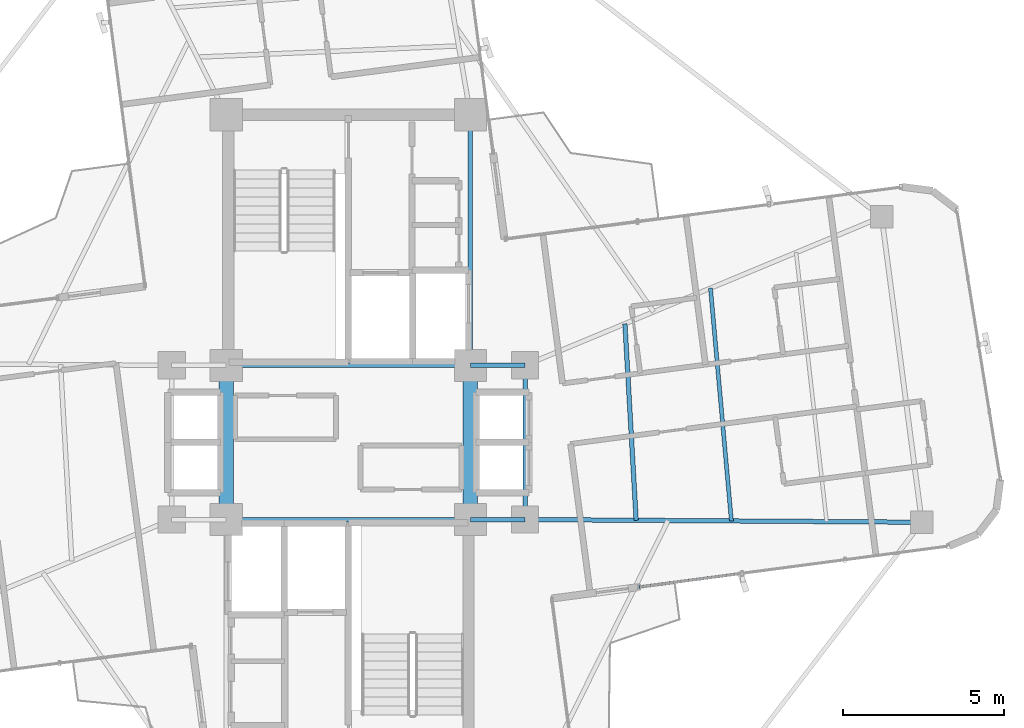
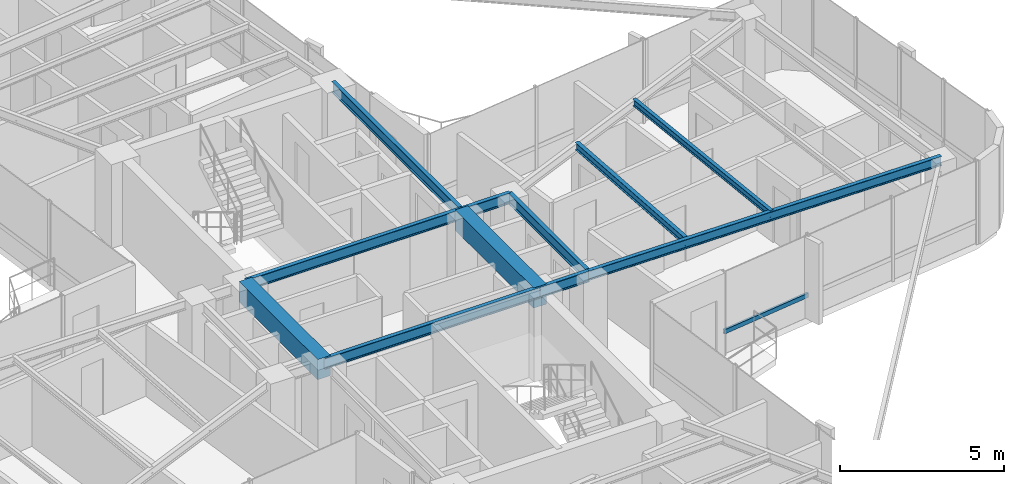
# One storey, part 9 of 22: 11 beams, 1 member, 1 element without a shape of its own.
"""IFC4 building model written with IfcOpenShell, lengths in metres."""

from ifc_helpers import new_model, si_unit, direction, frame, origin, origin_2d, place, context, subcontext, project, spatial, rectangle, hollow_rectangle, i_section, extrude, source, transform, mapped, material, material_profile, profile_set, type_object, element, aggregate, save


model = new_model("IFC4")

# Units and contexts
model_context = context("Model", 3, precision=1e-05, world=origin(), true_north=direction((0.0, 1.0)))
body_context = subcontext(model_context, "Body", "Model", "MODEL_VIEW")
ifc_project = project(units=[si_unit("LENGTHUNIT", "METRE"), si_unit("AREAUNIT", "SQUARE_METRE"), si_unit("VOLUMEUNIT", "CUBIC_METRE"), si_unit("PLANEANGLEUNIT", "RADIAN"), si_unit("MASSUNIT", "GRAM", prefix="KILO")], contexts=[model_context])

# Site, building, storey
site_placement = place(None, origin())
site = spatial("IfcSite", under=ifc_project, at=site_placement, CompositionType="ELEMENT")
building_placement = place(site_placement, origin())
building = spatial("IfcBuilding", under=site, at=building_placement, Name="Sahyath Konkavel Grand Hotel", CompositionType="ELEMENT")
storey_placement = place(building_placement, frame((0.0, 0.0, 223.25)))
storey = spatial("IfcBuildingStorey", under=building, at=storey_placement, Name="L62", CompositionType="ELEMENT", Elevation=223.25)

# Beams
ifc_material_1 = material(Name="Steel E350", Category="steel")
ifc_material_profile_1 = material_profile(ifc_material_1, i_section(OverallWidth=0.139892578125, OverallDepth=0.39990234375, WebThickness=0.0087890625, FlangeThickness=0.01611328125, FilletRadius=0.013916015625, at=origin_2d()), Name="ISMB 400")
ifc_profile_set_1 = profile_set([ifc_material_profile_1], Name="Steel E350")
beam_type_1 = type_object("IfcBeamType", Name="BM-ISMB400", PredefinedType="BEAM", material=ifc_profile_set_1)
shared_shape_1 = source(origin(), body_context, "Body", "SweptSolid", [
    extrude(i_section(OverallWidth=0.139892578125, OverallDepth=0.39990234375, WebThickness=0.0087890625, FlangeThickness=0.01611328125, FilletRadius=0.013916015625, at=origin_2d()), origin(), (0.0, 0.0, 1.0), 7.60009765625),
])
for number, where, z_axis, x_axis, name in (
    (1, (-3.800048828125, 2.39990234375, 2.909912109375), (1.0, 0.0, 0.0), (0.0, 1.0, 0.0), "str:bm:L62:NC-S"),
    (2, (-3.800048828125, -2.39990234375, 2.909912109375), (1.0, 0.0, 0.0), (0.0, 1.0, 0.0), "str:bm:L62:SC-N"),
):
    element("IfcBeam", number, at=place(storey_placement, frame(where, z_axis=z_axis, x_axis=x_axis)), inside=storey, type_object=beam_type_1, Name=name, PredefinedType="BEAM", context=body_context, shape_type="MappedRepresentation", body=[
        mapped(shared_shape_1, transform((0.0, 0.0, 0.0), scale=1.0)),
    ])
shared_shape_2 = source(origin(), body_context, "Body", "SweptSolid", [
    extrude(i_section(OverallWidth=0.139892578125, OverallDepth=0.39990234375, WebThickness=0.0087890625, FlangeThickness=0.01611328125, FilletRadius=0.013916015625, at=origin_2d()), origin(), (0.0, 0.0, 1.0), 7.800048828125),
])
beam_1_placement = place(storey_placement, frame((3.800048828125, 2.39990234375, 2.909912109375), z_axis=(0.0, 1.0, 0.0), x_axis=(-1.0, 0.0, 0.0)))
element("IfcBeam", 3, at=beam_1_placement, inside=storey, type_object=beam_type_1, Name="str:bm:L62:NC-E", PredefinedType="BEAM", context=body_context, shape_type="MappedRepresentation", body=[
    mapped(shared_shape_2, transform((0.0, 0.0, 0.0), scale=1.0)),
])
shared_shape_3 = source(origin(), body_context, "Body", "SweptSolid", [
    extrude(i_section(OverallWidth=0.139892578125, OverallDepth=0.39990234375, WebThickness=0.0087890625, FlangeThickness=0.01611328125, FilletRadius=0.013916015625, at=origin_2d()), origin(), (0.0, 0.0, 1.0), 1.699951171875),
])
for number, where, z_axis, x_axis, name in (
    (4, (3.800048828125, 2.39990234375, 2.909912109375), (1.0, 0.0, 0.0), (0.0, 1.0, 0.0), "str:bm:L62:HB-NE"),
    (5, (3.800048828125, -2.39990234375, 2.909912109375), (1.0, 0.0, 0.0), (0.0, 1.0, 0.0), "str:bm:L62:HB-SE"),
):
    element("IfcBeam", number, at=place(storey_placement, frame(where, z_axis=z_axis, x_axis=x_axis)), inside=storey, type_object=beam_type_1, Name=name, PredefinedType="BEAM", context=body_context, shape_type="MappedRepresentation", body=[
        mapped(shared_shape_3, transform((0.0, 0.0, 0.0), scale=1.0)),
    ])
shared_shape_4 = source(origin(), body_context, "Body", "SweptSolid", [
    extrude(i_section(OverallWidth=0.139892578125, OverallDepth=0.39990234375, WebThickness=0.0087890625, FlangeThickness=0.01611328125, FilletRadius=0.013916015625, at=origin_2d()), origin(), (0.0, 0.0, 1.0), 4.7998046875),
])
beam_2_placement = place(storey_placement, frame((5.5, -2.39990234375, 2.909912109375), z_axis=(0.0, 1.0, 0.0), x_axis=(-1.0, 0.0, 0.0)))
element("IfcBeam", 6, at=beam_2_placement, inside=storey, type_object=beam_type_1, Name="str:bm:L62:HB-E", PredefinedType="BEAM", context=body_context, shape_type="MappedRepresentation", body=[
    mapped(shared_shape_4, transform((0.0, 0.0, 0.0), scale=1.0)),
])
ifc_material_2 = material(Name="Concrete C40/50", Category="concrete")
ifc_material_profile_2 = material_profile(ifc_material_2, rectangle(XDim=0.449951171875, YDim=0.75, at=origin_2d()), Name="RC 450x750")
ifc_profile_set_2 = profile_set([ifc_material_profile_2], Name="Concrete C40/50")
beam_type_2 = type_object("IfcBeamType", Name="BM-CB450x750", PredefinedType="LINTEL", material=ifc_profile_set_2)
shared_shape_5 = source(origin(), body_context, "Body", "SweptSolid", [
    extrude(rectangle(XDim=0.449951171875, YDim=0.75, at=origin_2d()), origin(), (0.0, 0.0, 1.0), 4.7998046875),
])
for number, where, z_axis, x_axis, name in (
    (7, (-3.800048828125, -2.39990234375, 2.735107421875), (0.0, 1.0, 0.0), (-1.0, 0.0, 0.0), "L62 Split-Core Coupling Beam West"),
    (8, (3.800048828125, -2.39990234375, 2.735107421875), (0.0, 1.0, 0.0), (-1.0, 0.0, 0.0), "L62 Split-Core Coupling Beam East"),
):
    element("IfcBeam", number, at=place(storey_placement, frame(where, z_axis=z_axis, x_axis=x_axis)), inside=storey, type_object=beam_type_2, Name=name, PredefinedType="LINTEL", context=body_context, shape_type="MappedRepresentation", body=[
        mapped(shared_shape_5, transform((0.0, 0.0, 0.0), scale=1.0)),
    ])
ifc_material_profile_3 = material_profile(ifc_material_1, i_section(OverallWidth=0.139892578125, OverallDepth=0.35009765625, WebThickness=0.008056640625, FlangeThickness=0.01416015625, FilletRadius=0.013916015625, at=origin_2d()), Name="ISMB 350")
ifc_profile_set_3 = profile_set([ifc_material_profile_3], Name="Steel E350")
beam_type_3 = type_object("IfcBeamType", Name="BM-ISMB350", PredefinedType="BEAM", material=ifc_profile_set_3)
shared_shape_6 = source(origin(), body_context, "Body", "SweptSolid", [
    extrude(i_section(OverallWidth=0.139892578125, OverallDepth=0.35009765625, WebThickness=0.008056640625, FlangeThickness=0.01416015625, FilletRadius=0.013916015625, at=origin_2d()), origin(), (0.0, 0.0, 1.0), 12.35009765625),
])
beam_3_placement = place(storey_placement, frame((5.5, -2.39990234375, 2.93505859375), z_axis=(0.999977145916, -0.006760742985, 0.0), x_axis=(0.006760742985, 0.999977145916, 0.0)))
element("IfcBeam", 9, at=beam_3_placement, inside=storey, type_object=beam_type_3, Name="L62 Cruciform Radial Girder EA", PredefinedType="BEAM", context=body_context, shape_type="MappedRepresentation", body=[
    mapped(shared_shape_6, transform((0.0, 0.0, 0.0), scale=1.0)),
])
ifc_material_profile_4 = material_profile(ifc_material_1, i_section(OverallWidth=0.139892578125, OverallDepth=0.27490234375, WebThickness=0.00634765625, FlangeThickness=0.0087890625, FilletRadius=0.012939453125, at=origin_2d()), Name="ISLB 275")
ifc_profile_set_4 = profile_set([ifc_material_profile_4], Name="Steel E350")
beam_type_4 = type_object("IfcBeamType", Name="BM-ISLB275", PredefinedType="BEAM", material=ifc_profile_set_4)
shared_shape_7 = source(origin(), body_context, "Body", "SweptSolid", [
    extrude(i_section(OverallWidth=0.139892578125, OverallDepth=0.27490234375, WebThickness=0.00634765625, FlangeThickness=0.0087890625, FilletRadius=0.012939453125, at=origin_2d()), origin(), (0.0, 0.0, 1.0), 6.12646484375),
])
beam_4_placement = place(storey_placement, frame((8.9580078125, -2.42333984375, 2.972412109375), z_axis=(-0.057184839251, 0.998363608191, 0.0), x_axis=(-0.998363608191, -0.057184839251, 0.0)))
element("IfcBeam", 10, at=beam_4_placement, inside=storey, type_object=beam_type_4, Name="L62 Secondary Floor Beam E-1", PredefinedType="BEAM", context=body_context, shape_type="MappedRepresentation", body=[
    mapped(shared_shape_7, transform((0.0, 0.0, 0.0), scale=1.0)),
])
ifc_material_profile_5 = material_profile(ifc_material_1, i_section(OverallWidth=0.125, OverallDepth=0.25, WebThickness=0.0068359375, FlangeThickness=0.012451171875, FilletRadius=0.012939453125, at=origin_2d()), Name="ISMB 250")
ifc_profile_set_5 = profile_set([ifc_material_profile_5], Name="Steel E350")
beam_type_5 = type_object("IfcBeamType", Name="BM-ISMB250", PredefinedType="BEAM", material=ifc_profile_set_5)
shared_shape_8 = source(origin(), body_context, "Body", "SweptSolid", [
    extrude(i_section(OverallWidth=0.125, OverallDepth=0.25, WebThickness=0.0068359375, FlangeThickness=0.012451171875, FilletRadius=0.012939453125, at=origin_2d()), origin(), (0.0, 0.0, 1.0), 7.274169921875),
])
beam_5_placement = place(storey_placement, frame((11.921875, -2.443359375, 2.985107421875), z_axis=(-0.089409975544, 0.995994907755, 0.0), x_axis=(-0.995994907755, -0.089409975544, 0.0)))
element("IfcBeam", 11, at=beam_5_placement, inside=storey, type_object=beam_type_5, Name="L62 Secondary Floor Beam E-2", PredefinedType="BEAM", context=body_context, shape_type="MappedRepresentation", body=[
    mapped(shared_shape_8, transform((0.0, 0.0, 0.0), scale=1.0)),
])

# Curtain wall, member
ifc_material_3 = material(Name="Anodised Bronze Aluminium & Low-E Glazing", Category="aluminium")
curtain_wall_type = type_object("IfcCurtainWallType", Name="CW-ZONE4", PredefinedType="NOTDEFINED", material=ifc_material_3)
curtain_wall_placement = place(storey_placement, origin())
curtain_wall = element("IfcCurtainWall", 12, at=curtain_wall_placement, inside=storey, type_object=curtain_wall_type, Name="L62 Unitised Curtain Wall F0", PredefinedType="NOTDEFINED")
ifc_material_4 = material(Name="Anodised Bronze Aluminium", Category="aluminium")
ifc_material_profile_6 = material_profile(ifc_material_4, hollow_rectangle(XDim=0.080078125, YDim=0.159912109375, WallThickness=0.006103515625, at=origin_2d()), Name="RHS 160x80x6")
ifc_profile_set_6 = profile_set([ifc_material_profile_6], Name="Anodised Bronze Aluminium")
member_type = type_object("IfcMemberType", Name="CW-TRN-160", PredefinedType="USERDEFINED", material=ifc_profile_set_6)
shared_shape_9 = source(origin(), body_context, "Body", "SweptSolid", [
    extrude(hollow_rectangle(XDim=0.080078125, YDim=0.159912109375, WallThickness=0.006103515625, at=origin_2d()), origin(), (0.0, 0.0, 1.0), 3.2333984375),
])
member_placement = place(storey_placement, frame((9.046875, -4.499755859375, 0.85009765625), z_axis=(0.991442212719, 0.130546309176, 0.0), x_axis=(-0.130546309176, 0.991442212719, 0.0)))
member = element("IfcMember", 13, at=member_placement, type_object=member_type, Name="L62 Curtain Wall Transom F0-0-spandrel", ObjectType="TRANSOM", PredefinedType="USERDEFINED", context=body_context, shape_type="MappedRepresentation", body=[
    mapped(shared_shape_9, transform((0.0, 0.0, 0.0), scale=1.0)),
])
aggregate(curtain_wall, [member])

save(model, "model.ifc")
